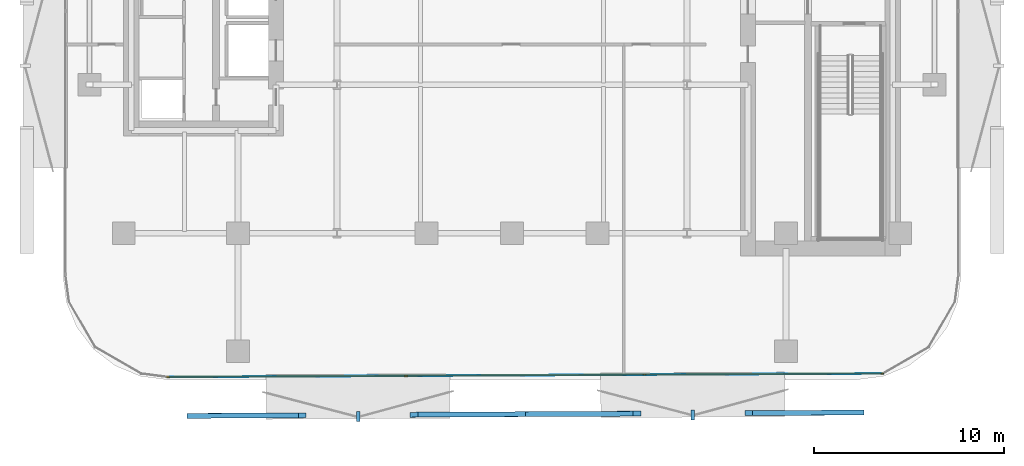
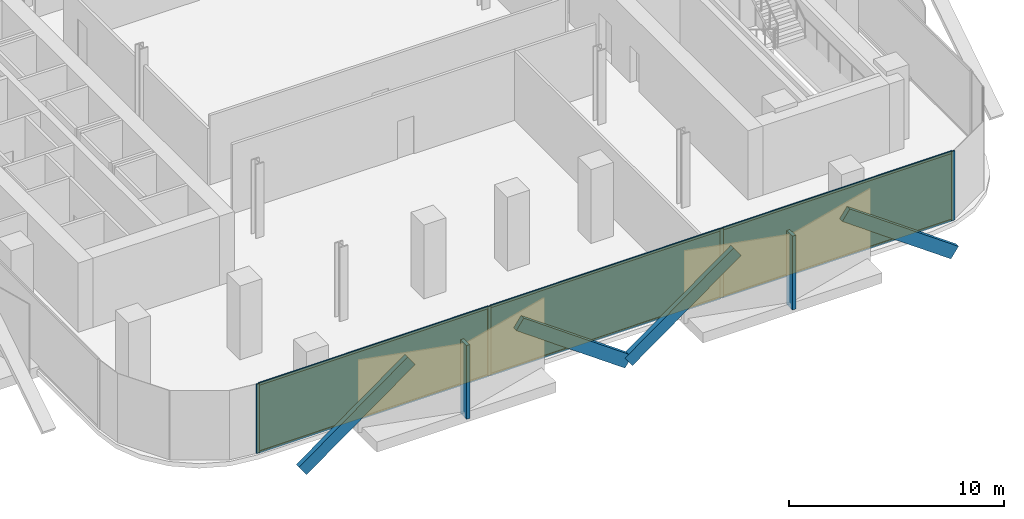
# One storey, part 6 of 14: 16 members, 3 plates, 1 curtain wall.
"""IFC4 building model written with IfcOpenShell, lengths in metres."""

from ifc_helpers import new_model, si_unit, direction, frame, frame_2d, origin, origin_2d, place, context, subcontext, project, spatial, rectangle, extrude, material, layer, layer_set, material_profile, profile_set, type_object, element, aggregate, save


model = new_model("IFC4")

# Units and contexts
model_context = context("Model", 3, precision=1e-05, world=origin(), true_north=direction((0.0, 1.0)))
body_context = subcontext(model_context, "Body", "Model", "MODEL_VIEW")
ifc_project = project(units=[si_unit("LENGTHUNIT", "METRE"), si_unit("AREAUNIT", "SQUARE_METRE"), si_unit("VOLUMEUNIT", "CUBIC_METRE"), si_unit("PLANEANGLEUNIT", "RADIAN"), si_unit("MASSUNIT", "GRAM", prefix="KILO")], contexts=[model_context])

# Member
ifc_material_1 = material(Name="Anodised Bronze Aluminium 6063-T6", Category="aluminium")
ifc_material_profile_1 = material_profile(ifc_material_1, rectangle(XDim=0.260009765625, YDim=0.699951171875, at=origin_2d()))
ifc_profile_set_1 = profile_set([ifc_material_profile_1], Name="Anodised Bronze Aluminium 6063-T6")
member_type_1 = type_object("IfcMemberType", Name="Bronze Diamond Solar-Screen Lattice Rib BDL-700", PredefinedType="MULLION", material=ifc_profile_set_1)
site_placement = place(None, origin())
building_placement = place(site_placement, origin())
storey_placement = place(building_placement, frame((0.0, 0.0, 93.199951171875)))
member_1_placement = place(storey_placement, frame((18.297119140625, -28.02197265625, -0.1298828125), z_axis=(-0.812934840677, -0.003994433113, 0.582340956243), x_axis=(-0.007759286777, 0.999962004517, -0.003972781225)))
member_1 = element("IfcMember", 1, at=member_1_placement, type_object=member_type_1, Name="L21 Bronze Diamond Solar Screen Lattice Rib 113A", PredefinedType="MULLION", context=body_context, shape_type="SweptSolid", body=[
    extrude(rectangle(XDim=0.260009765625, YDim=0.699951171875, at=origin_2d()), origin(), (0.0, 0.0, 1.0), 7.212158203125),
])

member_2_placement = place(storey_placement, frame((0.7080078125, -28.108154296875, -0.1298828125), z_axis=(0.812934840677, 0.003994433113, 0.582340956243), x_axis=(0.007759286777, -0.999962004517, -0.003972781225)))
member_2 = element("IfcMember", 2, at=member_2_placement, type_object=member_type_1, Name="L21 Bronze Diamond Solar Screen Lattice Rib 113B", PredefinedType="MULLION", context=body_context, shape_type="SweptSolid", body=[
    extrude(rectangle(XDim=0.260009765625, YDim=0.699951171875, at=origin_2d()), origin(), (0.0, 0.0, 1.0), 7.212158203125),
])

member_3_placement = place(storey_placement, frame((0.7080078125, -28.108154296875, -0.1298828125), z_axis=(-0.812923469496, -0.00396069151, 0.582357060287), x_axis=(-0.007717930273, 0.999962324795, -0.003972724849)))
member_3 = element("IfcMember", 3, at=member_3_placement, type_object=member_type_1, Name="L21 Bronze Diamond Solar Screen Lattice Rib 114A", PredefinedType="MULLION", context=body_context, shape_type="SweptSolid", body=[
    extrude(rectangle(XDim=0.260009765625, YDim=0.699951171875, at=origin_2d()), origin(), (0.0, 0.0, 1.0), 7.2119140625),
])

member_4_placement = place(storey_placement, frame((-16.880859375, -28.194091796875, -0.1298828125), z_axis=(0.812934840677, 0.003994433113, 0.582340956243), x_axis=(0.007759286777, -0.999962004517, -0.003972781225)))
member_4 = element("IfcMember", 4, at=member_4_placement, type_object=member_type_1, Name="L21 Bronze Diamond Solar Screen Lattice Rib 114B", PredefinedType="MULLION", context=body_context, shape_type="SweptSolid", body=[
    extrude(rectangle(XDim=0.260009765625, YDim=0.699951171875, at=origin_2d()), origin(), (0.0, 0.0, 1.0), 7.212158203125),
])

ifc_material_2 = material(Name="Anodised Bronze Aluminium 6063-T6", Category="aluminium")
ifc_material_profile_2 = material_profile(ifc_material_2, rectangle(XDim=0.179931640625, YDim=0.5400390625, at=origin_2d()))
ifc_profile_set_2 = profile_set([ifc_material_profile_2], Name="Anodised Bronze Aluminium 6063-T6")
member_type_2 = type_object("IfcMemberType", Name="Bronze Solar-Screen Vertical Fold Fin BSF-540", PredefinedType="MULLION", material=ifc_profile_set_2)
member_5_placement = place(storey_placement, frame((9.5029296875, -28.14501953125, -0.1298828125), z_axis=(0.0, 0.0, 1.0), x_axis=(-0.999988059021, -0.004886902454, 0.0)))
member_5 = element("IfcMember", 5, at=member_5_placement, type_object=member_type_2, Name="L21 Bronze Solar Screen Vertical Fin 113", PredefinedType="MULLION", context=body_context, shape_type="SweptSolid", body=[
    extrude(rectangle(XDim=0.179931640625, YDim=0.5400390625, at=origin_2d()), origin(), (0.0, 0.0, 1.0), 4.199951171875),
])

member_6_placement = place(storey_placement, frame((-8.0859375, -28.231201171875, -0.1298828125), z_axis=(0.0, 0.0, 1.0), x_axis=(-0.999988059021, -0.004886902454, 0.0)))
member_6 = element("IfcMember", 6, at=member_6_placement, type_object=member_type_2, Name="L21 Bronze Solar Screen Vertical Fin 114", PredefinedType="MULLION", context=body_context, shape_type="SweptSolid", body=[
    extrude(rectangle(XDim=0.179931640625, YDim=0.5400390625, at=origin_2d()), origin(), (0.0, 0.0, 1.0), 4.199951171875),
])

ifc_material_3 = material(Name="Anodised Bronze Aluminium 6063-T6", Category="aluminium")
ifc_material_profile_3 = material_profile(ifc_material_3, rectangle(XDim=0.06494140625, YDim=0.175048828125, at=origin_2d()))
ifc_profile_set_3 = profile_set([ifc_material_profile_3], Name="Anodised Bronze Aluminium 6063-T6")
member_type_3 = type_object("IfcMemberType", Name="CW-Z2 Mullion 65x175", PredefinedType="MULLION", material=ifc_profile_set_3)
member_7_placement = place(storey_placement, frame((19.45458984375, -25.976318359375, 0.0), z_axis=(0.0, 0.0, 1.0), x_axis=(0.004891127252, -0.999988038366, 0.0)))
member_7 = element("IfcMember", 7, at=member_7_placement, type_object=member_type_3, Name="CW-Z2 mullion 1", PredefinedType="MULLION", context=body_context, shape_type="SweptSolid", body=[
    extrude(rectangle(XDim=0.06494140625, YDim=0.175048828125, at=origin_2d()), origin(), (0.0, 0.0, 1.0), 3.93994140625),
])

member_8_placement = place(storey_placement, frame((6.961181640625, -26.037353515625, 0.0), z_axis=(0.0, 0.0, 1.0), x_axis=(0.004891127252, -0.999988038366, 0.0)))
member_8 = element("IfcMember", 8, at=member_8_placement, type_object=member_type_3, Name="CW-Z2 mullion 2", PredefinedType="MULLION", context=body_context, shape_type="SweptSolid", body=[
    extrude(rectangle(XDim=0.06494140625, YDim=0.175048828125, at=origin_2d()), origin(), (0.0, 0.0, 1.0), 3.93994140625),
])

member_9_placement = place(storey_placement, frame((-5.56494140625, -26.0986328125, 0.0), z_axis=(0.0, 0.0, 1.0), x_axis=(0.004891127252, -0.999988038366, 0.0)))
member_9 = element("IfcMember", 9, at=member_9_placement, type_object=member_type_3, Name="CW-Z2 mullion 3", PredefinedType="MULLION", context=body_context, shape_type="SweptSolid", body=[
    extrude(rectangle(XDim=0.06494140625, YDim=0.175048828125, at=origin_2d()), origin(), (0.0, 0.0, 1.0), 3.93994140625),
])

member_10_placement = place(storey_placement, frame((-18.058349609375, -26.159912109375, 0.0), z_axis=(0.0, 0.0, 1.0), x_axis=(0.004891127252, -0.999988038366, 0.0)))
member_10 = element("IfcMember", 10, at=member_10_placement, type_object=member_type_3, Name="CW-Z2 mullion 4", PredefinedType="MULLION", context=body_context, shape_type="SweptSolid", body=[
    extrude(rectangle(XDim=0.06494140625, YDim=0.175048828125, at=origin_2d()), origin(), (0.0, 0.0, 1.0), 3.93994140625),
])

ifc_material_4 = material(Name="Anodised Bronze Aluminium 6063-T6", Category="aluminium")
ifc_material_profile_4 = material_profile(ifc_material_4, rectangle(XDim=0.06494140625, YDim=0.135009765625, at=origin_2d()))
ifc_profile_set_4 = profile_set([ifc_material_profile_4], Name="Anodised Bronze Aluminium 6063-T6")
member_type_4 = type_object("IfcMemberType", Name="CW-Z2 Transom 65x135", PredefinedType="USERDEFINED", material=ifc_profile_set_4)
member_11_placement = place(storey_placement, frame((19.422119140625, -25.9765625, 0.032470703125), z_axis=(-0.999988037942, -0.00489121381, 0.0), x_axis=(0.00489121381, -0.999988037942, 0.0)))
member_11 = element("IfcMember", 11, at=member_11_placement, type_object=member_type_4, Name="CW-Z2 transom 1.1", ObjectType="TRANSOM", PredefinedType="USERDEFINED", context=body_context, shape_type="SweptSolid", body=[
    extrude(rectangle(XDim=0.06494140625, YDim=0.135009765625, at=origin_2d()), origin(), (0.0, 0.0, 1.0), 12.4287109375),
])

member_12_placement = place(storey_placement, frame((19.422119140625, -25.9765625, 3.907470703125), z_axis=(-0.999988037942, -0.00489121381, 0.0), x_axis=(0.00489121381, -0.999988037942, 0.0)))
member_12 = element("IfcMember", 12, at=member_12_placement, type_object=member_type_4, Name="CW-Z2 transom 1.2", ObjectType="TRANSOM", PredefinedType="USERDEFINED", context=body_context, shape_type="SweptSolid", body=[
    extrude(rectangle(XDim=0.06494140625, YDim=0.135009765625, at=origin_2d()), origin(), (0.0, 0.0, 1.0), 12.4287109375),
])

member_13_placement = place(storey_placement, frame((6.928466796875, -26.03759765625, 0.032470703125), z_axis=(-0.99998800443, -0.004898060367, 0.0), x_axis=(0.004898060367, -0.99998800443, 0.0)))
member_13 = element("IfcMember", 13, at=member_13_placement, type_object=member_type_4, Name="CW-Z2 transom 2.1", ObjectType="TRANSOM", PredefinedType="USERDEFINED", context=body_context, shape_type="SweptSolid", body=[
    extrude(rectangle(XDim=0.06494140625, YDim=0.135009765625, at=origin_2d()), origin(), (0.0, 0.0, 1.0), 12.461181640625),
])

member_14_placement = place(storey_placement, frame((6.928466796875, -26.03759765625, 3.907470703125), z_axis=(-0.99998800443, -0.004898060367, 0.0), x_axis=(0.004898060367, -0.99998800443, 0.0)))
member_14 = element("IfcMember", 14, at=member_14_placement, type_object=member_type_4, Name="CW-Z2 transom 2.2", ObjectType="TRANSOM", PredefinedType="USERDEFINED", context=body_context, shape_type="SweptSolid", body=[
    extrude(rectangle(XDim=0.06494140625, YDim=0.135009765625, at=origin_2d()), origin(), (0.0, 0.0, 1.0), 12.461181640625),
])

member_15_placement = place(storey_placement, frame((-5.597412109375, -26.098876953125, 0.032470703125), z_axis=(-0.999988037942, -0.00489121381, 0.0), x_axis=(0.00489121381, -0.999988037942, 0.0)))
member_15 = element("IfcMember", 15, at=member_15_placement, type_object=member_type_4, Name="CW-Z2 transom 3.1", ObjectType="TRANSOM", PredefinedType="USERDEFINED", context=body_context, shape_type="SweptSolid", body=[
    extrude(rectangle(XDim=0.06494140625, YDim=0.135009765625, at=origin_2d()), origin(), (0.0, 0.0, 1.0), 12.4287109375),
])

member_16_placement = place(storey_placement, frame((-5.597412109375, -26.098876953125, 3.907470703125), z_axis=(-0.999988037942, -0.00489121381, 0.0), x_axis=(0.00489121381, -0.999988037942, 0.0)))
member_16 = element("IfcMember", 16, at=member_16_placement, type_object=member_type_4, Name="CW-Z2 transom 3.2", ObjectType="TRANSOM", PredefinedType="USERDEFINED", context=body_context, shape_type="SweptSolid", body=[
    extrude(rectangle(XDim=0.06494140625, YDim=0.135009765625, at=origin_2d()), origin(), (0.0, 0.0, 1.0), 12.4287109375),
])

# Plate
ifc_material_5 = material(Name="Low-E Solar Control Laminated Glass", Category="glass")
ifc_layer_1 = layer(ifc_material_5, 0.028076171875, Name="Low-E Solar Control Laminated Glass")
ifc_layer_set_1 = layer_set([ifc_layer_1], Name="Low-E Solar Control Laminated Glass")
plate_type = type_object("IfcPlateType", Name="CW-Z2 Low-E Double Glazed Panel 28mm", PredefinedType="CURTAIN_PANEL", material=ifc_layer_set_1)
plate_1_placement = place(storey_placement, frame((13.207763671875, -26.0068359375, 0.06494140625), z_axis=(0.0, 0.0, 1.0), x_axis=(-0.999988038366, -0.004891127252, 0.0)))
plate_1 = element("IfcPlate", 17, at=plate_1_placement, type_object=plate_type, Name="CW-Z2 panel 1.1", PredefinedType="CURTAIN_PANEL", context=body_context, shape_type="SweptSolid", body=[
    extrude(rectangle(XDim=12.428466796875, YDim=0.028076171875, at=origin_2d()), origin(), (0.0, 0.0, 1.0), 3.81005859375),
])

plate_2_placement = place(storey_placement, frame((0.697998046875, -26.068115234375, 0.06494140625), z_axis=(0.0, 0.0, 1.0), x_axis=(-0.999988038366, -0.004891127252, 0.0)))
plate_2 = element("IfcPlate", 18, at=plate_2_placement, type_object=plate_type, Name="CW-Z2 panel 2.1", PredefinedType="CURTAIN_PANEL", context=body_context, shape_type="SweptSolid", body=[
    extrude(rectangle(XDim=12.461181640625, YDim=0.028076171875, at=origin_2d()), origin(), (0.0, 0.0, 1.0), 3.81005859375),
])

plate_3_placement = place(storey_placement, frame((-11.8115234375, -26.12939453125, 0.06494140625), z_axis=(0.0, 0.0, 1.0), x_axis=(-0.999988038366, -0.004891127252, 0.0)))
plate_3 = element("IfcPlate", 19, at=plate_3_placement, type_object=plate_type, Name="CW-Z2 panel 3.1", PredefinedType="CURTAIN_PANEL", context=body_context, shape_type="SweptSolid", body=[
    extrude(rectangle(XDim=12.428466796875, YDim=0.028076171875, at=origin_2d()), origin(), (0.0, 0.0, 1.0), 3.81005859375),
])

# Site, building, storey
site = spatial("IfcSite", under=ifc_project, at=site_placement, CompositionType="ELEMENT")
building = spatial("IfcBuilding", under=site, at=building_placement, Name="Khairoan Windgate Tower", CompositionType="ELEMENT")
storey = spatial("IfcBuildingStorey", under=building, at=storey_placement, Name="L21", CompositionType="ELEMENT", Elevation=93.199951171875)

# Curtain wall
ifc_material_6 = material(Name="Anodised Bronze Aluminium 6063-T6", Category="aluminium")
ifc_layer_2 = layer(ifc_material_6, 0.175048828125, Name="Anodised Bronze Aluminium 6063-T6")
ifc_layer_set_2 = layer_set([ifc_layer_2], Name="Anodised Bronze Aluminium 6063-T6")
curtain_wall_type = type_object("IfcCurtainWallType", Name="Mid-Rise Office Unitised Curtain Wall CW-Z2", PredefinedType="NOTDEFINED", material=ifc_layer_set_2)
curtain_wall_placement = place(storey_placement, frame((19.487060546875, -25.976318359375, 0.0), z_axis=(0.0, 0.0, 1.0), x_axis=(-0.999988065247, -0.004885628318, 0.0)))
curtain_wall = element("IfcCurtainWall", 20, at=curtain_wall_placement, inside=storey, type_object=curtain_wall_type, Name="L21 Unitised Curtain Wall 1", PredefinedType="NOTDEFINED", context=body_context, shape_type="SweptSolid", body=[
    extrude(rectangle(XDim=37.578369140625, YDim=0.010009765625, at=frame_2d((18.7890625, 0.0))), origin(), (0.0, 0.0, 1.0), 3.93994140625),
])

aggregate(curtain_wall, [member_7, member_8, member_9, member_10, member_11, member_12, plate_1, member_13, member_14, plate_2, member_15, member_16, plate_3, member_1, member_2, member_5, member_3, member_4, member_6])

save(model, "model.ifc")
